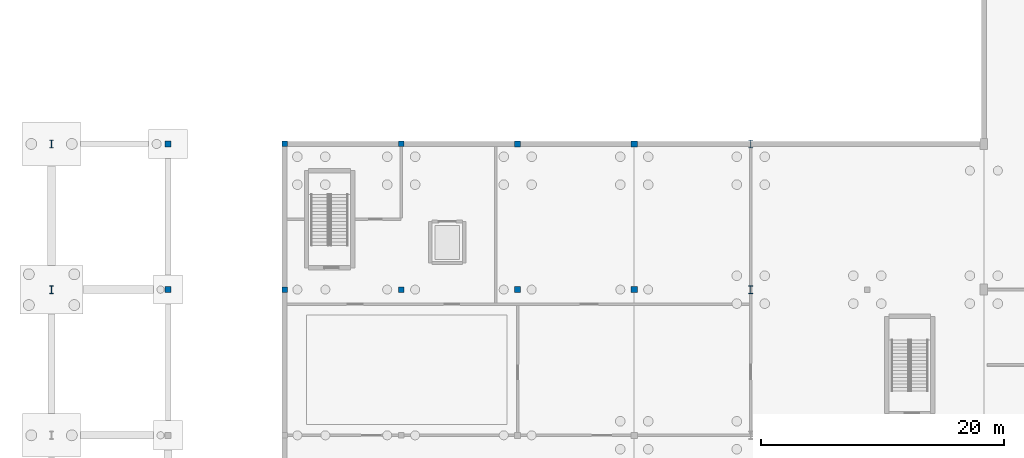
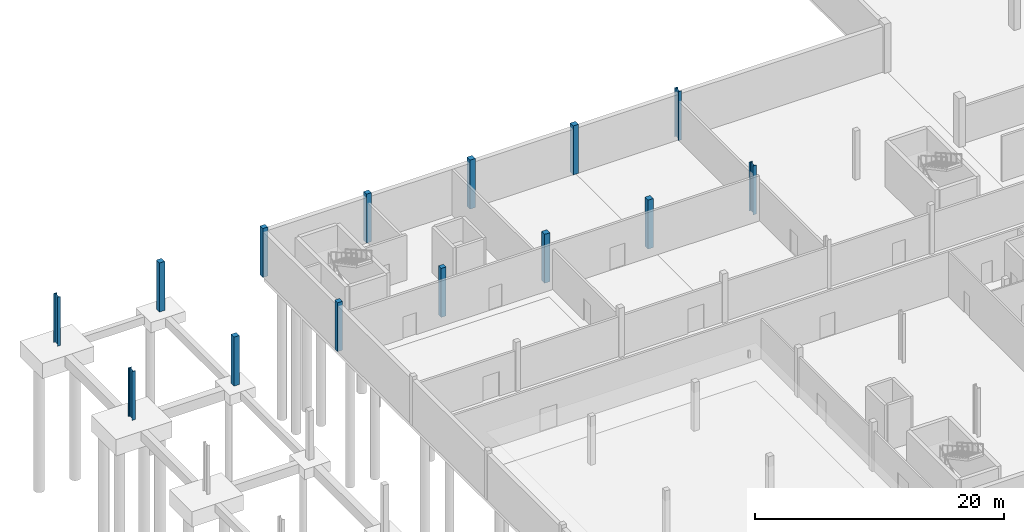
# One storey, part 17 of 31: 14 columns.
"""IFC4 building model written with IfcOpenShell, lengths in metres."""

import ifcopenshell
import ifcopenshell.guid

model = None  # the IFC model being written
_history = None  # IfcOwnerHistory: only IFC2X3 demands one
_inside = {}  # id of a spatial element -> (the spatial element, [elements in it])
_under = {}  # id of a project, library or spatial element -> (it, [spatial elements below it])
_declared = {}  # id of a project -> (the project, [libraries it declares])
_typed = {}  # id of a type object -> (the type object, [elements of that type])
_made_of = {}  # id of a material, layer set ... -> (it, [elements and type objects made of it])


def new_model(schema):
    """Start an empty IFC model of exactly this schema.

    Asked for "IFC4X3", IfcOpenShell would pick the latest addendum, in which some entities
    have other attributes; the version numbers below select the first issue.
    IFC2X3 requires an IfcOwnerHistory on every rooted entity: one is made here for all.
    """
    global model, _history
    if schema == "IFC4X3":
        model = ifcopenshell.file(schema_version=(4, 3, 0, 0))
    else:
        model = ifcopenshell.file(schema=schema)
    _inside.clear()
    _under.clear()
    _declared.clear()
    _typed.clear()
    _made_of.clear()
    _history = None
    if model.schema == "IFC2X3":
        org = make("IfcOrganization", Name="unknown")
        user = make(
            "IfcPersonAndOrganization",
            ThePerson=make("IfcPerson", FamilyName="unknown"),
            TheOrganization=org,
        )
        app = make(
            "IfcApplication",
            ApplicationDeveloper=org,
            Version="unknown",
            ApplicationFullName="unknown",
            ApplicationIdentifier="unknown",
        )
        _history = make(
            "IfcOwnerHistory",
            OwningUser=user,
            OwningApplication=app,
            ChangeAction="ADDED",
            CreationDate=0,
        )
    return model


def make(cls, **values):
    """One entity of the class cls with the attributes given. An attribute that is None is left unset."""
    return model.create_entity(
        cls, **{name: value for name, value in values.items() if value is not None}
    )


def rooted(cls, **values):
    """An entity with a GlobalId (a new one), such as an element, a storey or a relation."""
    return make(cls, GlobalId=ifcopenshell.guid.new(), OwnerHistory=_history, **values)


def si_unit(unit_type, name, prefix=None):
    """IfcSIUnit, for example si_unit("LENGTHUNIT", "METRE", prefix="MILLI")."""
    return make("IfcSIUnit", UnitType=unit_type, Prefix=prefix, Name=name)


def assignment(units):
    """IfcUnitAssignment: the units of a project."""
    return None if units is None else make("IfcUnitAssignment", Units=units)


def point(xyz):
    """IfcCartesianPoint."""
    return None if xyz is None else make("IfcCartesianPoint", Coordinates=xyz)


def direction(xyz):
    """IfcDirection."""
    return None if xyz is None else make("IfcDirection", DirectionRatios=xyz)


def frame(location, z_axis=None, x_axis=None):
    """IfcAxis2Placement3D, a coordinate frame: its origin and axes. An axis left out is left unset."""
    return make(
        "IfcAxis2Placement3D",
        Location=point(location),
        Axis=direction(z_axis),
        RefDirection=direction(x_axis),
    )


def frame_2d(location, x_axis=None):
    """IfcAxis2Placement2D, a coordinate frame in the plane: its origin and x axis."""
    return make(
        "IfcAxis2Placement2D", Location=point(location), RefDirection=direction(x_axis)
    )


def origin():
    """The frame at (0, 0, 0) with its axes left unset."""
    return frame((0.0, 0.0, 0.0))


def origin_2d():
    """The frame at (0, 0) in the plane with its x axis left unset."""
    return frame_2d((0.0, 0.0))


def place(relative_to, where):
    """IfcLocalPlacement: puts the frame where relative to a parent placement (None: the world)."""
    return make(
        "IfcLocalPlacement", PlacementRelTo=relative_to, RelativePlacement=where
    )


def context(
    kind, dimensions, precision=None, world=None, true_north=None, identifier=None
):
    """IfcGeometricRepresentationContext, for example the 3D "Model" context."""
    return make(
        "IfcGeometricRepresentationContext",
        ContextIdentifier=identifier,
        ContextType=kind,
        CoordinateSpaceDimension=dimensions,
        Precision=precision,
        WorldCoordinateSystem=world,
        TrueNorth=true_north,
    )


def subcontext(parent, identifier, kind, view, scale=None):
    """IfcGeometricRepresentationSubContext, for example "Body" below "Model"."""
    return make(
        "IfcGeometricRepresentationSubContext",
        ContextIdentifier=identifier,
        ContextType=kind,
        ParentContext=parent,
        TargetScale=scale,
        TargetView=view,
    )


def project(units=None, contexts=None):
    """IfcProject with its units and contexts."""
    return rooted(
        "IfcProject",
        Name="project",
        RepresentationContexts=contexts,
        UnitsInContext=assignment(units),
    )


def spatial(cls, under=None, at=None, **own):
    """A site, building, storey or space (cls), placed at a placement, below another one or the project."""
    s = rooted(cls, ObjectPlacement=at, **own)
    if under is not None:
        _under.setdefault(under.id(), (under, []))[1].append(s)
    return s


def profile(cls, at=None, kind="AREA", **sizes):
    """A parametric profile (cls). Its sizes go by their IFC names, for example OverallWidth=200.0."""
    return make(cls, ProfileType=kind, Position=at, **sizes)


def rectangle(**sizes):
    """IfcRectangleProfileDef."""
    return profile("IfcRectangleProfileDef", **sizes)


def i_section(**sizes):
    """IfcIShapeProfileDef."""
    return profile("IfcIShapeProfileDef", **sizes)


def extrude(swept, where, along, depth):
    """IfcExtrudedAreaSolid: the profile swept, set in the frame where, extruded along a direction by depth."""
    return make(
        "IfcExtrudedAreaSolid",
        SweptArea=swept,
        Position=where,
        ExtrudedDirection=direction(along),
        Depth=depth,
    )


def shape(context_of_items, identifier, shape_type, items):
    """IfcShapeRepresentation: the items that make up one representation, for example the "Body"."""
    return make(
        "IfcShapeRepresentation",
        ContextOfItems=context_of_items,
        RepresentationIdentifier=identifier,
        RepresentationType=shape_type,
        Items=items,
    )


def material(Name=None, Category=None):
    """IfcMaterial."""
    return make("IfcMaterial", Name=Name, Category=Category)


def material_profile(
    of_material, cross_section, Name=None, Category=None, Priority=None
):
    """IfcMaterialProfile: a cross section and its material."""
    return make(
        "IfcMaterialProfile",
        Name=Name,
        Material=of_material,
        Profile=cross_section,
        Priority=Priority,
        Category=Category,
    )


def profile_set(profiles, Name=None, composite=None):
    """IfcMaterialProfileSet."""
    return make(
        "IfcMaterialProfileSet",
        Name=Name,
        MaterialProfiles=profiles,
        CompositeProfile=composite,
    )


def made_of(thing, what):
    """Note that an element or type object is made of a material, layer set ...; save() writes the relation."""
    if what is not None:
        _made_of.setdefault(what.id(), (what, []))[1].append(thing)
    return thing


def type_object(cls, material=None, **own):
    """A type object (cls), such as IfcWallType, which elements share."""
    return made_of(rooted(cls, **own), material)


def element(
    cls,
    number,
    at=None,
    inside=None,
    cuts=None,
    type_object=None,
    material=None,
    context=None,
    identifier="Body",
    shape_type=None,
    held_by="IfcProductDefinitionShape",
    body=None,
    shapes=None,
    **own,
):
    """One element of the class cls, such as IfcWall. Its Tag is "e" and its number.

    at: its placement. inside: the storey or other place that contains it. cuts: it is an
    opening in that element (IfcRelVoidsElement). A single representation is given by context,
    identifier, shape_type and body (its items); several are given by shapes. held_by: the class
    of the entity that holds the representations. save() writes the other relations.
    """
    e = rooted(cls, Tag="e%d" % number, ObjectPlacement=at, **own)
    if body is not None:
        shapes = [shape(context, identifier, shape_type, body)]
    if shapes is not None:
        e.Representation = make(held_by, Representations=shapes)
    if inside is not None:
        _inside.setdefault(inside.id(), (inside, []))[1].append(e)
    if cuts is not None:
        rooted(
            "IfcRelVoidsElement", RelatingBuildingElement=cuts, RelatedOpeningElement=e
        )
    if type_object is not None:
        _typed.setdefault(type_object.id(), (type_object, []))[1].append(e)
    return made_of(e, material)


def aggregate(whole, parts):
    """IfcRelAggregates: a whole, such as a stair, and the parts it consists of."""
    return rooted("IfcRelAggregates", RelatingObject=whole, RelatedObjects=parts)


def save(model, path):
    """Write the relations noted so far, then the file.

    IfcRelAggregates (storeys below a building ...), IfcRelContainedInSpatialStructure (elements
    in a storey), IfcRelDefinesByType, IfcRelAssociatesMaterial and IfcRelDeclares: one each for
    every whole, place, type object, material and project.
    """
    for whole, parts in _under.values():
        aggregate(whole, parts)
    for where, things in _inside.values():
        rooted(
            "IfcRelContainedInSpatialStructure",
            RelatedElements=things,
            RelatingStructure=where,
        )
    for kind, things in _typed.values():
        rooted("IfcRelDefinesByType", RelatedObjects=things, RelatingType=kind)
    for what, things in _made_of.values():
        rooted("IfcRelAssociatesMaterial", RelatedObjects=things, RelatingMaterial=what)
    for by, libraries in _declared.values():
        rooted("IfcRelDeclares", RelatingContext=by, RelatedDefinitions=libraries)
    model.write(path)


model = new_model("IFC4")

# Units and contexts
model_context = context("Model", 3, precision=1e-05, world=origin(), true_north=direction((0.0, 1.0)))
body_context = subcontext(model_context, "Body", "Model", "MODEL_VIEW")
ifc_project = project(units=[si_unit("LENGTHUNIT", "METRE"), si_unit("AREAUNIT", "SQUARE_METRE"), si_unit("VOLUMEUNIT", "CUBIC_METRE"), si_unit("PLANEANGLEUNIT", "RADIAN"), si_unit("MASSUNIT", "GRAM", prefix="KILO")], contexts=[model_context])

# Site, building, storey
site_placement = place(None, origin())
site = spatial("IfcSite", under=ifc_project, at=site_placement, CompositionType="ELEMENT")
building_placement = place(site_placement, origin())
building = spatial("IfcBuilding", under=site, at=building_placement, Name="Merenkruunu Market Hall", CompositionType="ELEMENT")
storey_placement = place(building_placement, frame((0.0, 0.0, -4.800048828125)))
storey = spatial("IfcBuildingStorey", under=building, at=storey_placement, Name="B1", CompositionType="ELEMENT", Elevation=-4.800048828125)

# Columns
ifc_material_1 = material(Name="Steel S355ML", Category="steel")
ifc_material_profile_1 = material_profile(ifc_material_1, i_section(OverallWidth=0.300048828125, OverallDepth=0.64990234375, WebThickness=0.01611328125, FlangeThickness=0.031005859375, FilletRadius=0.027099609375, at=origin_2d()), Name="HEB 650")
ifc_profile_set_1 = profile_set([ifc_material_profile_1], Name="Steel S355ML")
column_type_1 = type_object("IfcColumnType", Name="Structural Column C01", PredefinedType="COLUMN", material=ifc_profile_set_1)
for number, where, z_axis, x_axis, name in (
    (1, (0.0, 99.60009765625, 0.0), (0.0, 0.0, 1.0), (1.0, 0.0, 0.0), "COL-B1-A-11"),
    (2, (0.0, 111.60009765625, 0.0), (0.0, 0.0, 1.0), (1.0, 0.0, 0.0), "COL-B1-A-12"),
    (3, (57.60009765625, 99.60009765625, 0.0), (0.0, 0.0, 1.0), (1.0, 0.0, 0.0), "COL-B1-G-11"),
    (4, (57.60009765625, 111.60009765625, 0.0), (0.0, 0.0, 1.0), (1.0, 0.0, 0.0), "COL-B1-G-12"),
):
    element("IfcColumn", number, at=place(storey_placement, frame(where, z_axis=z_axis, x_axis=x_axis)), inside=storey, type_object=column_type_1, Name=name, PredefinedType="COLUMN", context=body_context, shape_type="SweptSolid", body=[
        extrude(i_section(OverallWidth=0.300048828125, OverallDepth=0.64990234375, WebThickness=0.01611328125, FlangeThickness=0.031005859375, FilletRadius=0.027099609375, at=origin_2d()), origin(), (0.0, 0.0, 1.0), 4.800048828125),
    ])
ifc_material_2 = material(Name="Concrete C35/45", Category="concrete")
ifc_material_profile_2 = material_profile(ifc_material_2, rectangle(XDim=0.5, YDim=0.5, at=origin_2d()), Name="RC 500x500")
ifc_profile_set_2 = profile_set([ifc_material_profile_2], Name="Concrete C35/45")
column_type_2 = type_object("IfcColumnType", Name="Structural Column C18", PredefinedType="COLUMN", material=ifc_profile_set_2)
for number, where, z_axis, x_axis, name in (
    (5, (9.60009765625, 99.60009765625, 0.0), (0.0, 0.0, 1.0), (1.0, 0.0, 0.0), "COL-B1-B-11"),
    (6, (9.60009765625, 111.60009765625, 0.0), (0.0, 0.0, 1.0), (1.0, 0.0, 0.0), "COL-B1-B-12"),
    (7, (38.39990234375, 99.60009765625, 0.0), (0.0, 0.0, 1.0), (1.0, 0.0, 0.0), "COL-B1-E-11"),
    (8, (38.39990234375, 111.60009765625, 0.0), (0.0, 0.0, 1.0), (1.0, 0.0, 0.0), "COL-B1-E-12"),
    (9, (48.0, 99.60009765625, 0.0), (0.0, 0.0, 1.0), (1.0, 0.0, 0.0), "COL-B1-F-11"),
    (10, (48.0, 111.60009765625, 0.0), (0.0, 0.0, 1.0), (1.0, 0.0, 0.0), "COL-B1-F-12"),
):
    element("IfcColumn", number, at=place(storey_placement, frame(where, z_axis=z_axis, x_axis=x_axis)), inside=storey, type_object=column_type_2, Name=name, PredefinedType="COLUMN", context=body_context, shape_type="SweptSolid", body=[
        extrude(rectangle(XDim=0.5, YDim=0.5, at=origin_2d()), origin(), (0.0, 0.0, 1.0), 4.800048828125),
    ])
ifc_material_profile_3 = material_profile(ifc_material_2, rectangle(XDim=0.449951171875, YDim=0.449951171875, at=origin_2d()), Name="RC 450x450")
ifc_profile_set_3 = profile_set([ifc_material_profile_3], Name="Concrete C35/45")
column_type_3 = type_object("IfcColumnType", Name="Structural Column C19", PredefinedType="COLUMN", material=ifc_profile_set_3)
for number, where, z_axis, x_axis, name in (
    (11, (19.199951171875, 99.60009765625, 0.0), (0.0, 0.0, 1.0), (1.0, 0.0, 0.0), "COL-B1-C-11"),
    (12, (19.199951171875, 111.60009765625, 0.0), (0.0, 0.0, 1.0), (1.0, 0.0, 0.0), "COL-B1-C-12"),
    (13, (28.800048828125, 99.60009765625, 0.0), (0.0, 0.0, 1.0), (1.0, 0.0, 0.0), "COL-B1-D-11"),
    (14, (28.800048828125, 111.60009765625, 0.0), (0.0, 0.0, 1.0), (1.0, 0.0, 0.0), "COL-B1-D-12"),
):
    element("IfcColumn", number, at=place(storey_placement, frame(where, z_axis=z_axis, x_axis=x_axis)), inside=storey, type_object=column_type_3, Name=name, PredefinedType="COLUMN", context=body_context, shape_type="SweptSolid", body=[
        extrude(rectangle(XDim=0.449951171875, YDim=0.449951171875, at=origin_2d()), origin(), (0.0, 0.0, 1.0), 4.800048828125),
    ])

save(model, "model.ifc")
